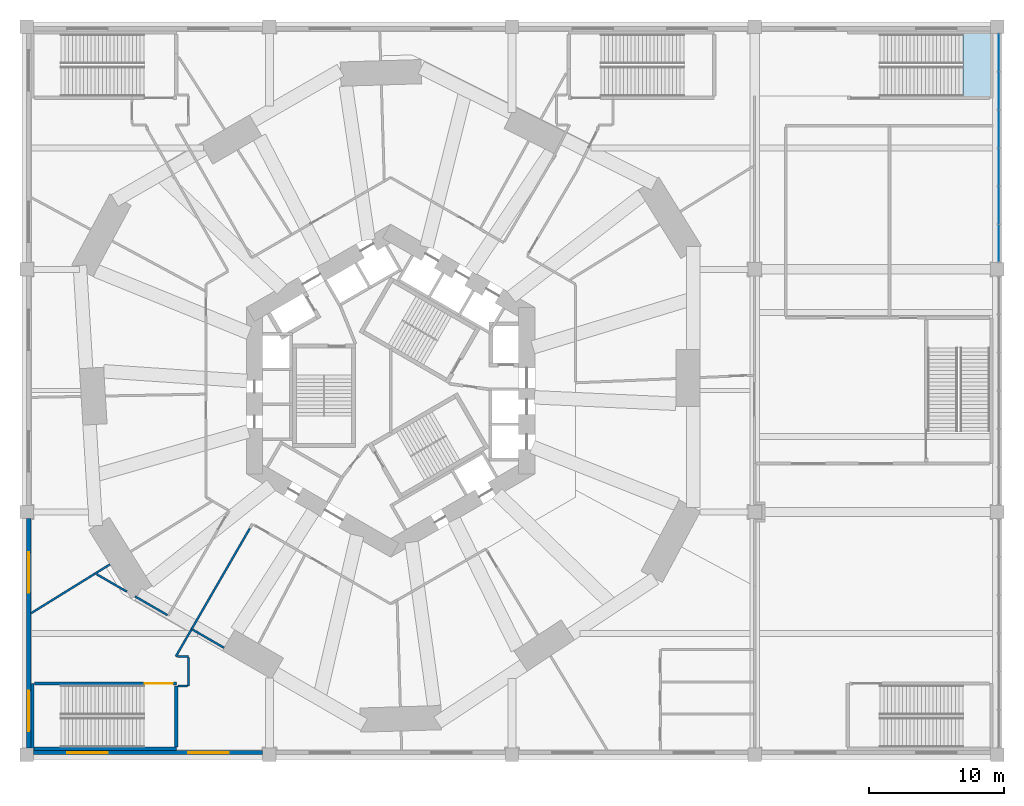
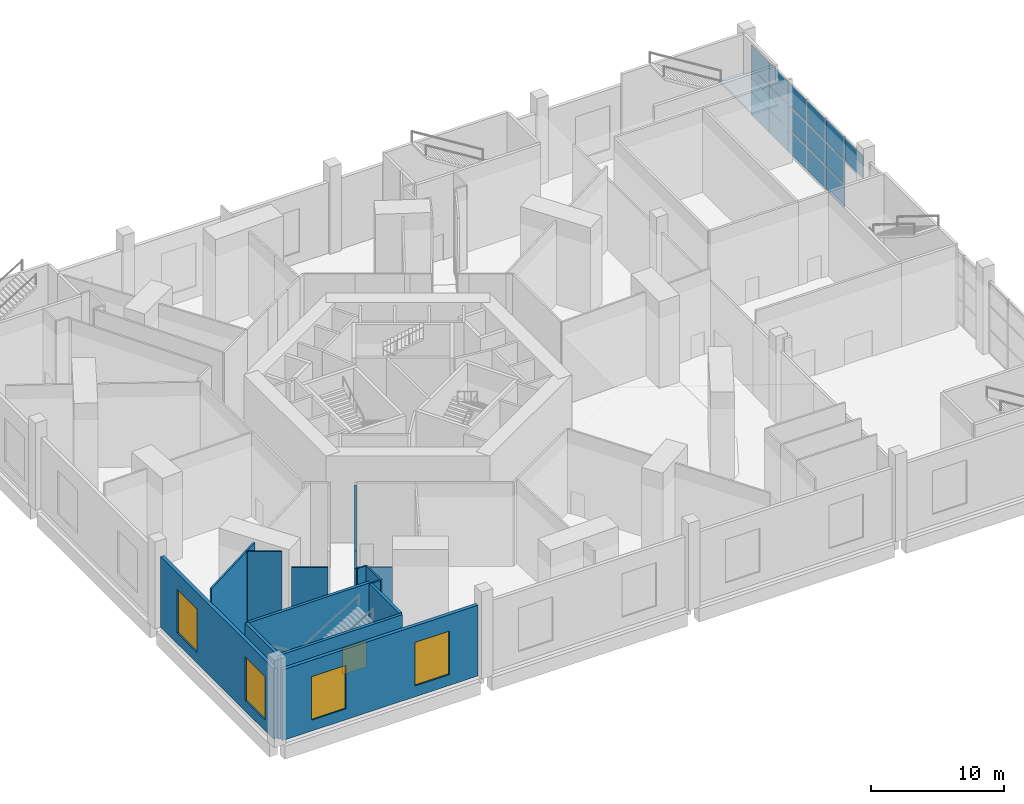
# One storey, part 5 of 15: 16 plates, 16 walls, 4 windows, 1 door, 1 slab, 5 openings, 2 elements without a shape of their own.
"""IFC4 building model written with IfcOpenShell, lengths in metres."""

from ifc_helpers import new_model, si_unit, direction, frame, frame_2d, origin, origin_2d, place, context, subcontext, project, spatial, polyline, rectangle, outline, extrude, material, layer, layer_set, type_object, element, fill, aggregate, save


model = new_model("IFC4")

# Units and contexts
model_context = context("Model", 3, precision=1e-05, world=origin(), true_north=direction((0.0, 1.0)))
body_context = subcontext(model_context, "Body", "Model", "MODEL_VIEW")
ifc_project = project(units=[si_unit("LENGTHUNIT", "METRE"), si_unit("AREAUNIT", "SQUARE_METRE"), si_unit("VOLUMEUNIT", "CUBIC_METRE"), si_unit("PLANEANGLEUNIT", "RADIAN"), si_unit("MASSUNIT", "GRAM", prefix="KILO")], contexts=[model_context])

# Site, building, storey
site_placement = place(None, origin())
site = spatial("IfcSite", under=ifc_project, at=site_placement, CompositionType="ELEMENT")
building_placement = place(site_placement, origin())
building = spatial("IfcBuilding", under=site, at=building_placement, Name="Vanh Sen Convention Tower", CompositionType="ELEMENT")
storey_placement = place(building_placement, frame((0.0, 0.0, 21.0)))
storey = spatial("IfcBuildingStorey", under=building, at=storey_placement, Name="L03", CompositionType="ELEMENT", Elevation=21.0)

# Curtain wall, plates
ifc_material_1 = material(Name="Aluminium structural glazing system", Category="aluminium")
curtain_wall_type = type_object("IfcCurtainWallType", Name="Podium hall structural glazing", PredefinedType="NOTDEFINED", material=ifc_material_1)
curtain_wall_placement = place(storey_placement, origin())
curtain_wall = element("IfcCurtainWall", 1, at=curtain_wall_placement, inside=storey, type_object=curtain_wall_type, Name="Podium hall glazing 3 L03", PredefinedType="NOTDEFINED")
ifc_material_2 = material(Name="Clear toughened safety glass", Category="glass")
ifc_layer_1 = layer(ifc_material_2, 0.031982421875)
ifc_layer_set_1 = layer_set([ifc_layer_1], Name="Clear toughened safety glass")
plate_type = type_object("IfcPlateType", Name="Hall glazing clear glass panel 32", PredefinedType="CURTAIN_PANEL", material=ifc_layer_set_1)
plate_1_placement = place(storey_placement, frame((45.110107421875, 10.93408203125, 4.43505859375), z_axis=(0.0, 0.0, 1.0), x_axis=(0.0, 1.0, 0.0)))
plate_1 = element("IfcPlate", 2, at=plate_1_placement, type_object=plate_type, Name="CW4 panel 1.3", PredefinedType="CURTAIN_PANEL", context=body_context, shape_type="SweptSolid", body=[
    extrude(rectangle(XDim=2.728271484375, YDim=0.031982421875, at=origin_2d()), origin(), (0.0, 0.0, 1.0), 2.094970703125),
])
plate_2_placement = place(storey_placement, frame((45.110107421875, 13.75, 0.06982421875), z_axis=(0.0, 0.0, 1.0), x_axis=(0.0, 1.0, 0.0)))
plate_2 = element("IfcPlate", 3, at=plate_2_placement, type_object=plate_type, Name="CW4 panel 2.1", PredefinedType="CURTAIN_PANEL", context=body_context, shape_type="SweptSolid", body=[
    extrude(rectangle(XDim=2.763427734375, YDim=0.031982421875, at=origin_2d()), origin(), (0.0, 0.0, 1.0), 2.094970703125),
])
plate_3_placement = place(storey_placement, frame((45.110107421875, 13.75, 2.235107421875), z_axis=(0.0, 0.0, 1.0), x_axis=(0.0, 1.0, 0.0)))
plate_3 = element("IfcPlate", 4, at=plate_3_placement, type_object=plate_type, Name="CW4 panel 2.2", PredefinedType="CURTAIN_PANEL", context=body_context, shape_type="SweptSolid", body=[
    extrude(rectangle(XDim=2.763427734375, YDim=0.031982421875, at=origin_2d()), origin(), (0.0, 0.0, 1.0), 2.1298828125),
])
plate_4_placement = place(storey_placement, frame((45.110107421875, 13.75, 4.43505859375), z_axis=(0.0, 0.0, 1.0), x_axis=(0.0, 1.0, 0.0)))
plate_4 = element("IfcPlate", 5, at=plate_4_placement, type_object=plate_type, Name="CW4 panel 2.3", PredefinedType="CURTAIN_PANEL", context=body_context, shape_type="SweptSolid", body=[
    extrude(rectangle(XDim=2.763427734375, YDim=0.031982421875, at=origin_2d()), origin(), (0.0, 0.0, 1.0), 2.094970703125),
])
plate_5_placement = place(storey_placement, frame((45.110107421875, 16.583251953125, 0.06982421875), z_axis=(0.0, 0.0, 1.0), x_axis=(0.0, 1.0, 0.0)))
plate_5 = element("IfcPlate", 6, at=plate_5_placement, type_object=plate_type, Name="CW4 panel 3.1", PredefinedType="CURTAIN_PANEL", context=body_context, shape_type="SweptSolid", body=[
    extrude(rectangle(XDim=2.763427734375, YDim=0.031982421875, at=origin_2d()), origin(), (0.0, 0.0, 1.0), 2.094970703125),
])
plate_6_placement = place(storey_placement, frame((45.110107421875, 16.583251953125, 2.235107421875), z_axis=(0.0, 0.0, 1.0), x_axis=(0.0, 1.0, 0.0)))
plate_6 = element("IfcPlate", 7, at=plate_6_placement, type_object=plate_type, Name="CW4 panel 3.2", PredefinedType="CURTAIN_PANEL", context=body_context, shape_type="SweptSolid", body=[
    extrude(rectangle(XDim=2.763427734375, YDim=0.031982421875, at=origin_2d()), origin(), (0.0, 0.0, 1.0), 2.1298828125),
])
plate_7_placement = place(storey_placement, frame((45.110107421875, 16.583251953125, 4.43505859375), z_axis=(0.0, 0.0, 1.0), x_axis=(0.0, 1.0, 0.0)))
plate_7 = element("IfcPlate", 8, at=plate_7_placement, type_object=plate_type, Name="CW4 panel 3.3", PredefinedType="CURTAIN_PANEL", context=body_context, shape_type="SweptSolid", body=[
    extrude(rectangle(XDim=2.763427734375, YDim=0.031982421875, at=origin_2d()), origin(), (0.0, 0.0, 1.0), 2.094970703125),
])
plate_8_placement = place(storey_placement, frame((45.110107421875, 19.416748046875, 0.06982421875), z_axis=(0.0, 0.0, 1.0), x_axis=(0.0, 1.0, 0.0)))
plate_8 = element("IfcPlate", 9, at=plate_8_placement, type_object=plate_type, Name="CW4 panel 4.1", PredefinedType="CURTAIN_PANEL", context=body_context, shape_type="SweptSolid", body=[
    extrude(rectangle(XDim=2.763427734375, YDim=0.031982421875, at=origin_2d()), origin(), (0.0, 0.0, 1.0), 2.094970703125),
])
plate_9_placement = place(storey_placement, frame((45.110107421875, 19.416748046875, 2.235107421875), z_axis=(0.0, 0.0, 1.0), x_axis=(0.0, 1.0, 0.0)))
plate_9 = element("IfcPlate", 10, at=plate_9_placement, type_object=plate_type, Name="CW4 panel 4.2", PredefinedType="CURTAIN_PANEL", context=body_context, shape_type="SweptSolid", body=[
    extrude(rectangle(XDim=2.763427734375, YDim=0.031982421875, at=origin_2d()), origin(), (0.0, 0.0, 1.0), 2.1298828125),
])
plate_10_placement = place(storey_placement, frame((45.110107421875, 19.416748046875, 4.43505859375), z_axis=(0.0, 0.0, 1.0), x_axis=(0.0, 1.0, 0.0)))
plate_10 = element("IfcPlate", 11, at=plate_10_placement, type_object=plate_type, Name="CW4 panel 4.3", PredefinedType="CURTAIN_PANEL", context=body_context, shape_type="SweptSolid", body=[
    extrude(rectangle(XDim=2.763427734375, YDim=0.031982421875, at=origin_2d()), origin(), (0.0, 0.0, 1.0), 2.094970703125),
])
plate_11_placement = place(storey_placement, frame((45.110107421875, 22.25, 0.06982421875), z_axis=(0.0, 0.0, 1.0), x_axis=(0.0, 1.0, 0.0)))
plate_11 = element("IfcPlate", 12, at=plate_11_placement, type_object=plate_type, Name="CW4 panel 5.1", PredefinedType="CURTAIN_PANEL", context=body_context, shape_type="SweptSolid", body=[
    extrude(rectangle(XDim=2.763427734375, YDim=0.031982421875, at=origin_2d()), origin(), (0.0, 0.0, 1.0), 2.094970703125),
])
plate_12_placement = place(storey_placement, frame((45.110107421875, 22.25, 2.235107421875), z_axis=(0.0, 0.0, 1.0), x_axis=(0.0, 1.0, 0.0)))
plate_12 = element("IfcPlate", 13, at=plate_12_placement, type_object=plate_type, Name="CW4 panel 5.2", PredefinedType="CURTAIN_PANEL", context=body_context, shape_type="SweptSolid", body=[
    extrude(rectangle(XDim=2.763427734375, YDim=0.031982421875, at=origin_2d()), origin(), (0.0, 0.0, 1.0), 2.1298828125),
])
plate_13_placement = place(storey_placement, frame((45.110107421875, 22.25, 4.43505859375), z_axis=(0.0, 0.0, 1.0), x_axis=(0.0, 1.0, 0.0)))
plate_13 = element("IfcPlate", 14, at=plate_13_placement, type_object=plate_type, Name="CW4 panel 5.3", PredefinedType="CURTAIN_PANEL", context=body_context, shape_type="SweptSolid", body=[
    extrude(rectangle(XDim=2.763427734375, YDim=0.031982421875, at=origin_2d()), origin(), (0.0, 0.0, 1.0), 2.094970703125),
])
plate_14_placement = place(storey_placement, frame((45.110107421875, 25.06591796875, 0.06982421875), z_axis=(0.0, 0.0, 1.0), x_axis=(0.0, 1.0, 0.0)))
plate_14 = element("IfcPlate", 15, at=plate_14_placement, type_object=plate_type, Name="CW4 panel 6.1", PredefinedType="CURTAIN_PANEL", context=body_context, shape_type="SweptSolid", body=[
    extrude(rectangle(XDim=2.728271484375, YDim=0.031982421875, at=origin_2d()), origin(), (0.0, 0.0, 1.0), 2.094970703125),
])
plate_15_placement = place(storey_placement, frame((45.110107421875, 25.06591796875, 2.235107421875), z_axis=(0.0, 0.0, 1.0), x_axis=(0.0, 1.0, 0.0)))
plate_15 = element("IfcPlate", 16, at=plate_15_placement, type_object=plate_type, Name="CW4 panel 6.2", PredefinedType="CURTAIN_PANEL", context=body_context, shape_type="SweptSolid", body=[
    extrude(rectangle(XDim=2.728271484375, YDim=0.031982421875, at=origin_2d()), origin(), (0.0, 0.0, 1.0), 2.1298828125),
])
plate_16_placement = place(storey_placement, frame((45.110107421875, 25.06591796875, 4.43505859375), z_axis=(0.0, 0.0, 1.0), x_axis=(0.0, 1.0, 0.0)))
plate_16 = element("IfcPlate", 17, at=plate_16_placement, type_object=plate_type, Name="CW4 panel 6.3", PredefinedType="CURTAIN_PANEL", context=body_context, shape_type="SweptSolid", body=[
    extrude(rectangle(XDim=2.728271484375, YDim=0.031982421875, at=origin_2d()), origin(), (0.0, 0.0, 1.0), 2.094970703125),
])
aggregate(curtain_wall, [plate_1, plate_2, plate_3, plate_4, plate_5, plate_6, plate_7, plate_8, plate_9, plate_10, plate_11, plate_12, plate_13, plate_14, plate_15, plate_16])

# Stair, slab
ifc_material_3 = material(Name="Concrete C40/50", Category="concrete")
stair_type = type_object("IfcStairType", Name="Podium exit stair 2200", PredefinedType="HALF_TURN_STAIR", material=ifc_material_3)
stair_placement = place(storey_placement, origin())
stair = element("IfcStair", 18, at=stair_placement, inside=storey, type_object=stair_type, Name="Exit stair PS1 L03", PredefinedType="HALF_TURN_STAIR")
ifc_layer_2 = layer(ifc_material_3, 0.199951171875)
ifc_layer_set_2 = layer_set([ifc_layer_2], Name="Concrete C40/50")
slab_type = type_object("IfcSlabType", Name="Podium stair landing 200", PredefinedType="LANDING", material=ifc_layer_set_2)
slab_placement = place(storey_placement, frame((0.0, 0.0, 3.800048828125)))
slab = element("IfcSlab", 19, at=slab_placement, type_object=slab_type, Name="PS1 landing 1", PredefinedType="LANDING", context=body_context, shape_type="SweptSolid", body=[
    extrude(outline(polyline([(42.459228515625, 21.72509765625), (44.699951171875, 21.72509765625), (44.699951171875, 26.699951171875), (42.459228515625, 26.699951171875), (42.459228515625, 21.72509765625)])), origin(), (0.0, 0.0, 1.0), 0.199951171875),
])
aggregate(stair, [slab])

# Wall
ifc_layer_3 = layer(ifc_material_3, 0.25)
ifc_layer_set_3 = layer_set([ifc_layer_3], Name="Concrete C40/50")
wall_type_1 = type_object("IfcWallType", Name="Concrete wall 250 REI 180", PredefinedType="SOLIDWALL", material=ifc_layer_set_3)
wall_1_placement = place(storey_placement, frame((-15.905029296875, -26.43994140625, 0.0), z_axis=(0.0, 0.0, 1.0), x_axis=(0.0, 1.0, 0.0)))
element("IfcWall", 20, at=wall_1_placement, inside=storey, type_object=wall_type_1, Name="Fire-resisting wall L03-003", PredefinedType="SOLIDWALL", context=body_context, shape_type="SweptSolid", body=[
    extrude(rectangle(XDim=4.514892578125, YDim=0.25, at=frame_2d((2.25732421875, 0.0))), origin(), (0.0, 0.0, 1.0), 7.699951171875),
])

# Wall, opening, door
wall_2_placement = place(storey_placement, frame((-26.43994140625, -21.72509765625, 0.0), z_axis=(0.0, 0.0, 1.0), x_axis=(1.0, 0.0, 0.0)))
wall_2 = element("IfcWall", 21, at=wall_2_placement, inside=storey, type_object=wall_type_1, Name="Fire-resisting wall L03-010", PredefinedType="SOLIDWALL", context=body_context, shape_type="SweptSolid", body=[
    extrude(rectangle(XDim=10.5400390625, YDim=0.25, at=frame_2d((5.27001953125, 0.0))), origin(), (0.0, 0.0, 1.0), 7.699951171875),
])
opening_1_placement = place(wall_2_placement, frame((8.18994140625, 0.0, 0.0)))
opening_1 = element("IfcOpeningElement", 22, at=opening_1_placement, cuts=wall_2, Name="Opening D03103", PredefinedType="OPENING", context=body_context, shape_type="SweptSolid", body=[
    extrude(rectangle(XDim=2.10009765625, YDim=2.39990234375, at=frame_2d((1.050048828125, 1.199951171875))), frame((0.0, 0.135009765625, 0.0), z_axis=(0.0, -1.0, 0.0), x_axis=(1.0, 0.0, 0.0)), (0.0, 0.0, 1.0), 0.27001953125),
])
ifc_material_4 = material(Name="Steel S355", Category="steel")
door_type = type_object("IfcDoorType", Name="Stair door 2100 EI 60", OperationType="DOUBLE_DOOR_SINGLE_SWING", PredefinedType="DOOR", material=ifc_material_4)
door_placement = place(opening_1_placement, frame((2.10009765625, 0.0, 0.0), z_axis=(0.0, 0.0, 1.0), x_axis=(-1.0, 0.0, 0.0)))
door = element("IfcDoor", 23, at=door_placement, inside=storey, type_object=door_type, Name="Stair door D03103", OperationType="DOUBLE_DOOR_SINGLE_SWING", OverallHeight=2.39990234375, OverallWidth=2.10009765625, PredefinedType="DOOR", context=body_context, shape_type="SweptSolid", body=[
    extrude(rectangle(XDim=2.10009765625, YDim=2.39990234375, at=frame_2d((1.050048828125, 1.199951171875))), frame((0.0, 0.02490234375, 0.0), z_axis=(0.0, -1.0, 0.0), x_axis=(1.0, 0.0, 0.0)), (0.0, 0.0, 1.0), 0.050048828125),
])
fill(opening_1, door)

# Walls
wall_3_placement = place(storey_placement, frame((-26.574951171875, -21.72509765625, 0.0), z_axis=(0.0, 0.0, 1.0), x_axis=(0.0, -1.0, 0.0)))
element("IfcWall", 24, at=wall_3_placement, inside=storey, type_object=wall_type_1, Name="Stair enclosure wall PS6 L03", PredefinedType="SOLIDWALL", context=body_context, shape_type="SweptSolid", body=[
    extrude(rectangle(XDim=4.974853515625, YDim=0.25, at=frame_2d((2.4873046875, 0.0))), origin(), (0.0, 0.0, 1.0), 7.699951171875),
])
wall_4_placement = place(storey_placement, frame((-26.449951171875, -26.574951171875, 0.0), z_axis=(0.0, 0.0, 1.0), x_axis=(1.0, 0.0, 0.0)))
element("IfcWall", 25, at=wall_4_placement, inside=storey, type_object=wall_type_1, Name="Stair enclosure wall PS6 L03", PredefinedType="SOLIDWALL", context=body_context, shape_type="SweptSolid", body=[
    extrude(rectangle(XDim=10.550048828125, YDim=0.25, at=frame_2d((5.27490234375, 0.0))), origin(), (0.0, 0.0, 1.0), 7.699951171875),
])
ifc_material_5 = material(Name="Gypsum board on steel studs", Category="steel")
ifc_layer_4 = layer(ifc_material_5, 0.14990234375)
ifc_layer_set_4 = layer_set([ifc_layer_4], Name="Gypsum board on steel studs")
wall_type_2 = type_object("IfcWallType", Name="Partition 150 EI 60", PredefinedType="PARTITIONING", material=ifc_layer_set_4)
wall_5_placement = place(storey_placement, frame((-15.080078125, -21.925048828125, 0.0), z_axis=(0.0, 0.0, 1.0), x_axis=(-1.0, 0.0, 0.0)))
element("IfcWall", 26, at=wall_5_placement, inside=storey, type_object=wall_type_2, Name="Partition L03-009", PredefinedType="PARTITIONING", context=body_context, shape_type="SweptSolid", body=[
    extrude(rectangle(XDim=0.699951171875, YDim=0.14990234375, at=frame_2d((0.35009765625, 0.0))), origin(), (0.0, 0.0, 1.0), 7.699951171875),
])
wall_6_placement = place(storey_placement, frame((-15.0, -19.804931640625, 0.0), z_axis=(0.0, 0.0, 1.0), x_axis=(0.0, -1.0, 0.0)))
element("IfcWall", 27, at=wall_6_placement, inside=storey, type_object=wall_type_2, Name="Partition L03-015", PredefinedType="PARTITIONING", context=body_context, shape_type="SweptSolid", body=[
    extrude(rectangle(XDim=2.1201171875, YDim=0.14990234375, at=frame_2d((1.06005859375, 0.0))), origin(), (0.0, 0.0, 1.0), 7.699951171875),
])
wall_7_placement = place(storey_placement, frame((-15.81689453125, -19.726806640625, 0.0), z_axis=(0.0, 0.0, 1.0), x_axis=(0.99999781167, 0.002092045631, 0.0)))
element("IfcWall", 28, at=wall_7_placement, inside=storey, type_object=wall_type_2, Name="Partition L03-016", PredefinedType="PARTITIONING", context=body_context, shape_type="SweptSolid", body=[
    extrude(rectangle(XDim=0.81689453125, YDim=0.14990234375, at=frame_2d((0.408447265625, 0.0))), origin(), (0.0, 0.0, 1.0), 7.699951171875),
])
wall_8_placement = place(storey_placement, frame((-12.35693359375, -19.0771484375, 0.0), z_axis=(0.0, 0.0, 1.0), x_axis=(-0.866044168464, 0.499967497213, 0.0)))
element("IfcWall", 29, at=wall_8_placement, inside=storey, type_object=wall_type_2, Name="Partition L03-020", PredefinedType="PARTITIONING", context=body_context, shape_type="SweptSolid", body=[
    extrude(rectangle(XDim=2.702392578125, YDim=0.14990234375, at=frame_2d((1.35107421875, 0.0))), origin(), (0.0, 0.0, 1.0), 6.199951171875),
])
wall_9_placement = place(storey_placement, frame((-14.76611328125, -17.68505859375, 0.0), z_axis=(0.0, 0.0, 1.0), x_axis=(-0.500339908207, -0.865829068729, 0.0)))
element("IfcWall", 30, at=wall_9_placement, inside=storey, type_object=wall_type_2, Name="Partition L03-023", PredefinedType="PARTITIONING", context=body_context, shape_type="SweptSolid", body=[
    extrude(rectangle(XDim=2.349853515625, YDim=0.14990234375, at=frame_2d((1.1748046875, 0.0))), origin(), (0.0, 0.0, 1.0), 7.699951171875),
])
wall_10_placement = place(storey_placement, frame((-16.56787109375, -16.64599609375, 0.0), z_axis=(0.0, 0.0, 1.0), x_axis=(-0.866023907196, 0.500002592159, 0.0)))
element("IfcWall", 31, at=wall_10_placement, inside=storey, type_object=wall_type_2, Name="Partition L03-025", PredefinedType="PARTITIONING", context=body_context, shape_type="SweptSolid", body=[
    extrude(rectangle(XDim=2.76611328125, YDim=0.14990234375, at=frame_2d((1.383056640625, 0.0))), origin(), (0.0, 0.0, 1.0), 6.199951171875),
])
wall_11_placement = place(storey_placement, frame((-19.5693359375, -14.9130859375, 0.0), z_axis=(0.0, 0.0, 1.0), x_axis=(-0.86602679452, 0.499997591167, 0.0)))
element("IfcWall", 32, at=wall_11_placement, inside=storey, type_object=wall_type_2, Name="Partition L03-030", PredefinedType="PARTITIONING", context=body_context, shape_type="SweptSolid", body=[
    extrude(rectangle(XDim=2.5859375, YDim=0.14990234375, at=frame_2d((1.29296875, 0.0))), origin(), (0.0, 0.0, 1.0), 7.699951171875),
])
wall_12_placement = place(storey_placement, frame((-21.912841796875, -13.56005859375, 0.0), z_axis=(0.0, 0.0, 1.0), x_axis=(-0.850348316199, -0.526220240145, 0.0)))
element("IfcWall", 33, at=wall_12_placement, inside=storey, type_object=wall_type_2, Name="Partition L03-032", PredefinedType="PARTITIONING", context=body_context, shape_type="SweptSolid", body=[
    extrude(rectangle(XDim=5.629638671875, YDim=0.14990234375, at=frame_2d((2.81494140625, 0.0))), origin(), (0.0, 0.0, 1.0), 7.699951171875),
])
wall_13_placement = place(storey_placement, frame((-21.90869140625, -13.557373046875, 0.0), z_axis=(0.0, 0.0, 1.0), x_axis=(0.850354848775, 0.526209683648, 0.0)))
element("IfcWall", 34, at=wall_13_placement, inside=storey, type_object=wall_type_2, Name="Partition L03-033", PredefinedType="PARTITIONING", context=body_context, shape_type="SweptSolid", body=[
    extrude(rectangle(XDim=1.27587890625, YDim=0.14990234375, at=frame_2d((0.637939453125, 0.0))), origin(), (0.0, 0.0, 1.0), 7.699951171875),
])
wall_14_placement = place(storey_placement, frame((-10.4384765625, -10.197509765625, 0.0), z_axis=(0.0, 0.0, 1.0), x_axis=(-0.500407402803, -0.865790061862, 0.0)))
element("IfcWall", 35, at=wall_14_placement, inside=storey, type_object=wall_type_2, Name="Partition L03-037", PredefinedType="PARTITIONING", context=body_context, shape_type="SweptSolid", body=[
    extrude(rectangle(XDim=8.648193359375, YDim=0.14990234375, at=frame_2d((4.32421875, 0.0))), origin(), (0.0, 0.0, 1.0), 7.699951171875),
])

# Wall, openings, windows
ifc_material_6 = material(Name="Concrete C50/60", Category="concrete")
ifc_layer_5 = layer(ifc_material_6, 0.300048828125)
ifc_layer_set_5 = layer_set([ifc_layer_5], Name="Concrete C50/60")
wall_type_3 = type_object("IfcWallType", Name="Podium wall 300", PredefinedType="STANDARD", material=ifc_layer_set_5)
wall_15_placement = place(storey_placement, frame((-26.5, -26.85009765625, 0.0), z_axis=(0.0, 0.0, 1.0), x_axis=(1.0, 0.0, 0.0)))
wall_15 = element("IfcWall", 36, at=wall_15_placement, inside=storey, type_object=wall_type_3, Name="Podium wall S1 L03", PredefinedType="STANDARD", context=body_context, shape_type="SweptSolid", body=[
    extrude(rectangle(XDim=17.0, YDim=0.300048828125, at=frame_2d((8.5, 0.0))), origin(), (0.0, 0.0, 1.0), 6.5),
])
opening_2_placement = place(wall_15_placement, frame((2.5, 0.0, 1.0)))
opening_2 = element("IfcOpeningElement", 37, at=opening_2_placement, cuts=wall_15, Name="Opening WP3-S1", PredefinedType="OPENING", context=body_context, shape_type="SweptSolid", body=[
    extrude(rectangle(XDim=3.0, YDim=4.0, at=frame_2d((1.5, 2.0))), frame((0.0, 0.159912109375, 0.0), z_axis=(0.0, -1.0, 0.0), x_axis=(1.0, 0.0, 0.0)), (0.0, 0.0, 1.0), 0.320068359375),
])
opening_3_placement = place(wall_15_placement, frame((11.5, 0.0, 1.0)))
opening_3 = element("IfcOpeningElement", 38, at=opening_3_placement, cuts=wall_15, Name="Opening WP3-S2", PredefinedType="OPENING", context=body_context, shape_type="SweptSolid", body=[
    extrude(rectangle(XDim=3.0, YDim=4.0, at=frame_2d((1.5, 2.0))), frame((0.0, 0.159912109375, 0.0), z_axis=(0.0, -1.0, 0.0), x_axis=(1.0, 0.0, 0.0)), (0.0, 0.0, 1.0), 0.320068359375),
])
ifc_material_7 = material(Name="Aluminium frame with clear low-emissivity glass", Category="aluminium")
window_type = type_object("IfcWindowType", Name="Podium window 3000 x 4000", PartitioningType="SINGLE_PANEL", PredefinedType="WINDOW", material=ifc_material_7)
window_1_placement = place(opening_2_placement, origin())
window_1 = element("IfcWindow", 39, at=window_1_placement, inside=storey, type_object=window_type, Name="Window WP3-S1", OverallHeight=4.0, OverallWidth=3.0, PartitioningType="SINGLE_PANEL", PredefinedType="WINDOW", context=body_context, shape_type="SweptSolid", body=[
    extrude(rectangle(XDim=3.0, YDim=4.0, at=frame_2d((1.5, 2.0))), frame((0.0, 0.030029296875, 0.0), z_axis=(0.0, -1.0, 0.0), x_axis=(1.0, 0.0, 0.0)), (0.0, 0.0, 1.0), 0.06005859375),
])
fill(opening_2, window_1)
window_2_placement = place(opening_3_placement, origin())
window_2 = element("IfcWindow", 40, at=window_2_placement, inside=storey, type_object=window_type, Name="Window WP3-S2", OverallHeight=4.0, OverallWidth=3.0, PartitioningType="SINGLE_PANEL", PredefinedType="WINDOW", context=body_context, shape_type="SweptSolid", body=[
    extrude(rectangle(XDim=3.0, YDim=4.0, at=frame_2d((1.5, 2.0))), frame((0.0, 0.030029296875, 0.0), z_axis=(0.0, -1.0, 0.0), x_axis=(1.0, 0.0, 0.0)), (0.0, 0.0, 1.0), 0.06005859375),
])
fill(opening_3, window_2)

wall_16_placement = place(storey_placement, frame((-26.85009765625, -9.5, 0.0), z_axis=(0.0, 0.0, 1.0), x_axis=(0.0, -1.0, 0.0)))
wall_16 = element("IfcWall", 41, at=wall_16_placement, inside=storey, type_object=wall_type_3, Name="Podium wall W3 L03", PredefinedType="STANDARD", context=body_context, shape_type="SweptSolid", body=[
    extrude(rectangle(XDim=17.0, YDim=0.300048828125, at=frame_2d((8.5, 0.0))), origin(), (0.0, 0.0, 1.0), 6.5),
])
opening_4_placement = place(wall_16_placement, frame((2.5, 0.0, 1.0)))
opening_4 = element("IfcOpeningElement", 42, at=opening_4_placement, cuts=wall_16, Name="Opening WP3-W5", PredefinedType="OPENING", context=body_context, shape_type="SweptSolid", body=[
    extrude(rectangle(XDim=3.0, YDim=4.0, at=frame_2d((1.5, 2.0))), frame((0.0, 0.159912109375, 0.0), z_axis=(0.0, -1.0, 0.0), x_axis=(1.0, 0.0, 0.0)), (0.0, 0.0, 1.0), 0.320068359375),
])
opening_5_placement = place(wall_16_placement, frame((12.75, 0.0, 1.0)))
opening_5 = element("IfcOpeningElement", 43, at=opening_5_placement, cuts=wall_16, Name="Opening WP3-W6", PredefinedType="OPENING", context=body_context, shape_type="SweptSolid", body=[
    extrude(rectangle(XDim=3.0, YDim=4.0, at=frame_2d((1.5, 2.0))), frame((0.0, 0.159912109375, 0.0), z_axis=(0.0, -1.0, 0.0), x_axis=(1.0, 0.0, 0.0)), (0.0, 0.0, 1.0), 0.320068359375),
])
window_3_placement = place(opening_4_placement, origin())
window_3 = element("IfcWindow", 44, at=window_3_placement, inside=storey, type_object=window_type, Name="Window WP3-W5", OverallHeight=4.0, OverallWidth=3.0, PartitioningType="SINGLE_PANEL", PredefinedType="WINDOW", context=body_context, shape_type="SweptSolid", body=[
    extrude(rectangle(XDim=3.0, YDim=4.0, at=frame_2d((1.5, 2.0))), frame((0.0, 0.030029296875, 0.0), z_axis=(0.0, -1.0, 0.0), x_axis=(1.0, 0.0, 0.0)), (0.0, 0.0, 1.0), 0.06005859375),
])
fill(opening_4, window_3)
window_4_placement = place(opening_5_placement, origin())
window_4 = element("IfcWindow", 45, at=window_4_placement, inside=storey, type_object=window_type, Name="Window WP3-W6", OverallHeight=4.0, OverallWidth=3.0, PartitioningType="SINGLE_PANEL", PredefinedType="WINDOW", context=body_context, shape_type="SweptSolid", body=[
    extrude(rectangle(XDim=3.0, YDim=4.0, at=frame_2d((1.5, 2.0))), frame((0.0, 0.030029296875, 0.0), z_axis=(0.0, -1.0, 0.0), x_axis=(1.0, 0.0, 0.0)), (0.0, 0.0, 1.0), 0.06005859375),
])
fill(opening_5, window_4)

save(model, "model.ifc")
